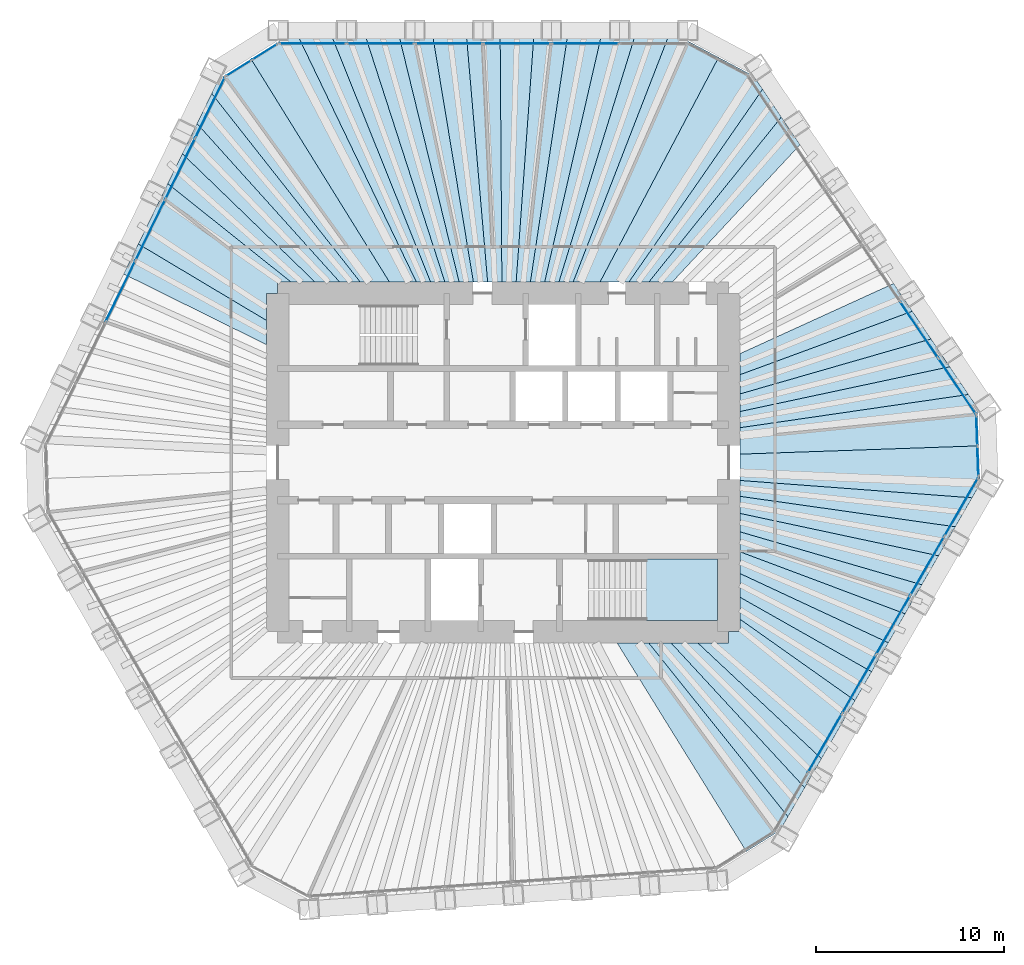
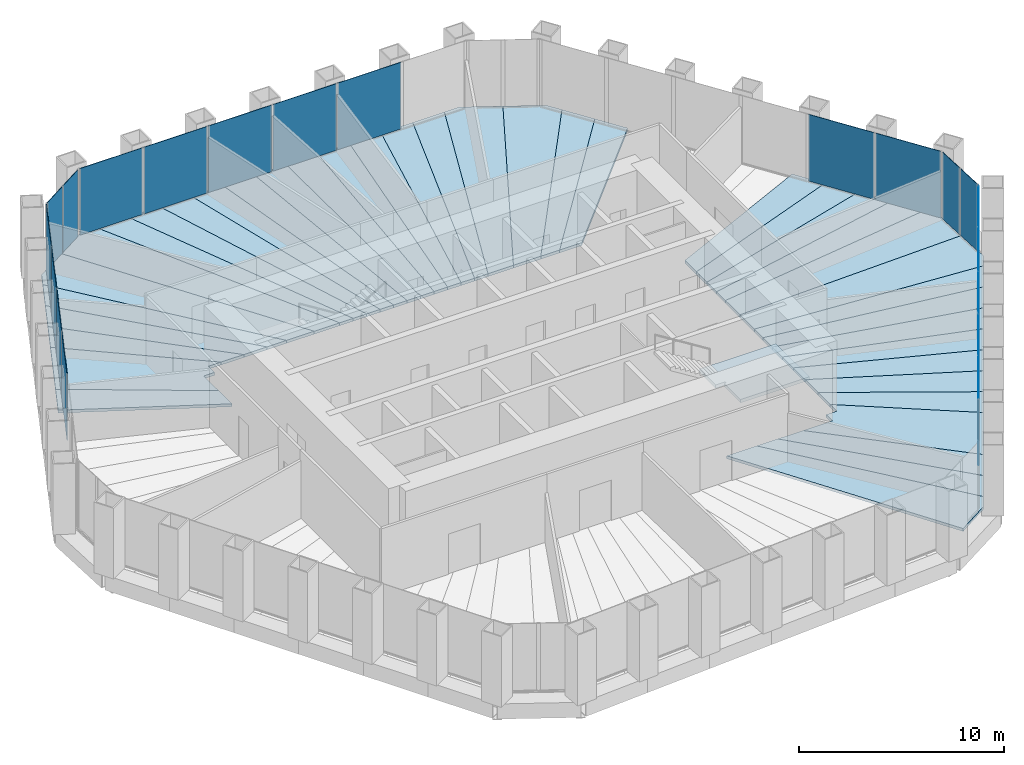
# One storey, part 9 of 14: 40 slabs, 20 plates, 7 elements without a shape of their own.
"""IFC4 building model written with IfcOpenShell, lengths in metres."""

import ifcopenshell
import ifcopenshell.guid

model = None  # the IFC model being written
_history = None  # IfcOwnerHistory: only IFC2X3 demands one
_inside = {}  # id of a spatial element -> (the spatial element, [elements in it])
_under = {}  # id of a project, library or spatial element -> (it, [spatial elements below it])
_declared = {}  # id of a project -> (the project, [libraries it declares])
_typed = {}  # id of a type object -> (the type object, [elements of that type])
_made_of = {}  # id of a material, layer set ... -> (it, [elements and type objects made of it])


def new_model(schema):
    """Start an empty IFC model of exactly this schema.

    Asked for "IFC4X3", IfcOpenShell would pick the latest addendum, in which some entities
    have other attributes; the version numbers below select the first issue.
    IFC2X3 requires an IfcOwnerHistory on every rooted entity: one is made here for all.
    """
    global model, _history
    if schema == "IFC4X3":
        model = ifcopenshell.file(schema_version=(4, 3, 0, 0))
    else:
        model = ifcopenshell.file(schema=schema)
    _inside.clear()
    _under.clear()
    _declared.clear()
    _typed.clear()
    _made_of.clear()
    _history = None
    if model.schema == "IFC2X3":
        org = make("IfcOrganization", Name="unknown")
        user = make(
            "IfcPersonAndOrganization",
            ThePerson=make("IfcPerson", FamilyName="unknown"),
            TheOrganization=org,
        )
        app = make(
            "IfcApplication",
            ApplicationDeveloper=org,
            Version="unknown",
            ApplicationFullName="unknown",
            ApplicationIdentifier="unknown",
        )
        _history = make(
            "IfcOwnerHistory",
            OwningUser=user,
            OwningApplication=app,
            ChangeAction="ADDED",
            CreationDate=0,
        )
    return model


def make(cls, **values):
    """One entity of the class cls with the attributes given. An attribute that is None is left unset."""
    return model.create_entity(
        cls, **{name: value for name, value in values.items() if value is not None}
    )


def rooted(cls, **values):
    """An entity with a GlobalId (a new one), such as an element, a storey or a relation."""
    return make(cls, GlobalId=ifcopenshell.guid.new(), OwnerHistory=_history, **values)


def si_unit(unit_type, name, prefix=None):
    """IfcSIUnit, for example si_unit("LENGTHUNIT", "METRE", prefix="MILLI")."""
    return make("IfcSIUnit", UnitType=unit_type, Prefix=prefix, Name=name)


def assignment(units):
    """IfcUnitAssignment: the units of a project."""
    return None if units is None else make("IfcUnitAssignment", Units=units)


def point(xyz):
    """IfcCartesianPoint."""
    return None if xyz is None else make("IfcCartesianPoint", Coordinates=xyz)


def direction(xyz):
    """IfcDirection."""
    return None if xyz is None else make("IfcDirection", DirectionRatios=xyz)


def frame(location, z_axis=None, x_axis=None):
    """IfcAxis2Placement3D, a coordinate frame: its origin and axes. An axis left out is left unset."""
    return make(
        "IfcAxis2Placement3D",
        Location=point(location),
        Axis=direction(z_axis),
        RefDirection=direction(x_axis),
    )


def frame_2d(location, x_axis=None):
    """IfcAxis2Placement2D, a coordinate frame in the plane: its origin and x axis."""
    return make(
        "IfcAxis2Placement2D", Location=point(location), RefDirection=direction(x_axis)
    )


def origin():
    """The frame at (0, 0, 0) with its axes left unset."""
    return frame((0.0, 0.0, 0.0))


def origin_2d():
    """The frame at (0, 0) in the plane with its x axis left unset."""
    return frame_2d((0.0, 0.0))


def place(relative_to, where):
    """IfcLocalPlacement: puts the frame where relative to a parent placement (None: the world)."""
    return make(
        "IfcLocalPlacement", PlacementRelTo=relative_to, RelativePlacement=where
    )


def context(
    kind, dimensions, precision=None, world=None, true_north=None, identifier=None
):
    """IfcGeometricRepresentationContext, for example the 3D "Model" context."""
    return make(
        "IfcGeometricRepresentationContext",
        ContextIdentifier=identifier,
        ContextType=kind,
        CoordinateSpaceDimension=dimensions,
        Precision=precision,
        WorldCoordinateSystem=world,
        TrueNorth=true_north,
    )


def subcontext(parent, identifier, kind, view, scale=None):
    """IfcGeometricRepresentationSubContext, for example "Body" below "Model"."""
    return make(
        "IfcGeometricRepresentationSubContext",
        ContextIdentifier=identifier,
        ContextType=kind,
        ParentContext=parent,
        TargetScale=scale,
        TargetView=view,
    )


def project(units=None, contexts=None):
    """IfcProject with its units and contexts."""
    return rooted(
        "IfcProject",
        Name="project",
        RepresentationContexts=contexts,
        UnitsInContext=assignment(units),
    )


def spatial(cls, under=None, at=None, **own):
    """A site, building, storey or space (cls), placed at a placement, below another one or the project."""
    s = rooted(cls, ObjectPlacement=at, **own)
    if under is not None:
        _under.setdefault(under.id(), (under, []))[1].append(s)
    return s


def polyline(points):
    """IfcPolyline through the points."""
    return make("IfcPolyline", Points=[point(p) for p in points])


def profile(cls, at=None, kind="AREA", **sizes):
    """A parametric profile (cls). Its sizes go by their IFC names, for example OverallWidth=200.0."""
    return make(cls, ProfileType=kind, Position=at, **sizes)


def rectangle(**sizes):
    """IfcRectangleProfileDef."""
    return profile("IfcRectangleProfileDef", **sizes)


def outline(outer, holes=None, kind="AREA"):
    """IfcArbitraryClosedProfileDef: a profile drawn as a closed curve; with holes, ...WithVoids."""
    if holes is None:
        return make("IfcArbitraryClosedProfileDef", ProfileType=kind, OuterCurve=outer)
    return make(
        "IfcArbitraryProfileDefWithVoids",
        ProfileType=kind,
        OuterCurve=outer,
        InnerCurves=holes,
    )


def extrude(swept, where, along, depth):
    """IfcExtrudedAreaSolid: the profile swept, set in the frame where, extruded along a direction by depth."""
    return make(
        "IfcExtrudedAreaSolid",
        SweptArea=swept,
        Position=where,
        ExtrudedDirection=direction(along),
        Depth=depth,
    )


def shape(context_of_items, identifier, shape_type, items):
    """IfcShapeRepresentation: the items that make up one representation, for example the "Body"."""
    return make(
        "IfcShapeRepresentation",
        ContextOfItems=context_of_items,
        RepresentationIdentifier=identifier,
        RepresentationType=shape_type,
        Items=items,
    )


def material(Name=None, Category=None):
    """IfcMaterial."""
    return make("IfcMaterial", Name=Name, Category=Category)


def layer(
    of_material, thickness, ventilated=None, Name=None, Category=None, Priority=None
):
    """IfcMaterialLayer: one layer of a wall or slab, of a material (None: an air gap)."""
    return make(
        "IfcMaterialLayer",
        Material=of_material,
        LayerThickness=thickness,
        IsVentilated=ventilated,
        Name=Name,
        Category=Category,
        Priority=Priority,
    )


def layer_set(layers, Name=None):
    """IfcMaterialLayerSet."""
    return make("IfcMaterialLayerSet", MaterialLayers=layers, LayerSetName=Name)


def made_of(thing, what):
    """Note that an element or type object is made of a material, layer set ...; save() writes the relation."""
    if what is not None:
        _made_of.setdefault(what.id(), (what, []))[1].append(thing)
    return thing


def type_object(cls, material=None, **own):
    """A type object (cls), such as IfcWallType, which elements share."""
    return made_of(rooted(cls, **own), material)


def element(
    cls,
    number,
    at=None,
    inside=None,
    cuts=None,
    type_object=None,
    material=None,
    context=None,
    identifier="Body",
    shape_type=None,
    held_by="IfcProductDefinitionShape",
    body=None,
    shapes=None,
    **own,
):
    """One element of the class cls, such as IfcWall. Its Tag is "e" and its number.

    at: its placement. inside: the storey or other place that contains it. cuts: it is an
    opening in that element (IfcRelVoidsElement). A single representation is given by context,
    identifier, shape_type and body (its items); several are given by shapes. held_by: the class
    of the entity that holds the representations. save() writes the other relations.
    """
    e = rooted(cls, Tag="e%d" % number, ObjectPlacement=at, **own)
    if body is not None:
        shapes = [shape(context, identifier, shape_type, body)]
    if shapes is not None:
        e.Representation = make(held_by, Representations=shapes)
    if inside is not None:
        _inside.setdefault(inside.id(), (inside, []))[1].append(e)
    if cuts is not None:
        rooted(
            "IfcRelVoidsElement", RelatingBuildingElement=cuts, RelatedOpeningElement=e
        )
    if type_object is not None:
        _typed.setdefault(type_object.id(), (type_object, []))[1].append(e)
    return made_of(e, material)


def aggregate(whole, parts):
    """IfcRelAggregates: a whole, such as a stair, and the parts it consists of."""
    return rooted("IfcRelAggregates", RelatingObject=whole, RelatedObjects=parts)


def save(model, path):
    """Write the relations noted so far, then the file.

    IfcRelAggregates (storeys below a building ...), IfcRelContainedInSpatialStructure (elements
    in a storey), IfcRelDefinesByType, IfcRelAssociatesMaterial and IfcRelDeclares: one each for
    every whole, place, type object, material and project.
    """
    for whole, parts in _under.values():
        aggregate(whole, parts)
    for where, things in _inside.values():
        rooted(
            "IfcRelContainedInSpatialStructure",
            RelatedElements=things,
            RelatingStructure=where,
        )
    for kind, things in _typed.values():
        rooted("IfcRelDefinesByType", RelatedObjects=things, RelatingType=kind)
    for what, things in _made_of.values():
        rooted("IfcRelAssociatesMaterial", RelatedObjects=things, RelatingMaterial=what)
    for by, libraries in _declared.values():
        rooted("IfcRelDeclares", RelatingContext=by, RelatedDefinitions=libraries)
    model.write(path)


model = new_model("IFC4")

# Units and contexts
model_context = context("Model", 3, precision=1e-05, world=origin(), true_north=direction((0.0, 1.0)))
body_context = subcontext(model_context, "Body", "Model", "MODEL_VIEW")
ifc_project = project(units=[si_unit("LENGTHUNIT", "METRE"), si_unit("AREAUNIT", "SQUARE_METRE"), si_unit("VOLUMEUNIT", "CUBIC_METRE"), si_unit("PLANEANGLEUNIT", "RADIAN"), si_unit("MASSUNIT", "GRAM", prefix="KILO")], contexts=[model_context])

# Site, building, storey
site_placement = place(None, origin())
site = spatial("IfcSite", under=ifc_project, at=site_placement, CompositionType="ELEMENT")
building_placement = place(site_placement, origin())
building = spatial("IfcBuilding", under=site, at=building_placement, Name="Qingtian Harvest Tower", CompositionType="ELEMENT")
storey_placement = place(building_placement, frame((0.0, 0.0, 197.199951171875)))
storey = spatial("IfcBuildingStorey", under=building, at=storey_placement, Name="L42", CompositionType="ELEMENT", Elevation=197.199951171875)

# Slabs
ifc_material_1 = material(Name="Concrete fc' 35 MPa", Category="concrete")
ifc_layer_1 = layer(ifc_material_1, 0.169921875)
ifc_layer_set_1 = layer_set([ifc_layer_1], Name="Composite floor slab FS17 170")
slab_type_1 = type_object("IfcSlabType", Name="Composite floor slab FS17 170", PredefinedType="FLOOR", material=ifc_layer_set_1)
slab_1_placement = place(storey_placement, frame((0.0, 0.0, -0.169921875)))
element("IfcSlab", 1, at=slab_1_placement, inside=storey, type_object=slab_type_1, Name="Floor slab L42 panel D27", PredefinedType="FLOOR", context=body_context, shape_type="SweptSolid", body=[
    extrude(outline(polyline([(6.059326171875, -9.60009765625), (7.740966796875, -9.60009765625), (15.159423828125, -18.853271484375), (14.73681640625, -19.5849609375), (12.94140625, -20.70703125), (6.059326171875, -9.60009765625)])), origin(), (0.0, 0.0, 1.0), 0.169921875),
])
slab_2_placement = place(storey_placement, frame((0.0, 0.0, -0.169921875)))
element("IfcSlab", 2, at=slab_2_placement, inside=storey, type_object=slab_type_1, Name="Floor slab L42 panel D28", PredefinedType="FLOOR", context=body_context, shape_type="SweptSolid", body=[
    extrude(outline(polyline([(8.929443359375, -9.60009765625), (16.05029296875, -17.31005859375), (15.159423828125, -18.853271484375), (7.740966796875, -9.60009765625), (8.929443359375, -9.60009765625)])), origin(), (0.0, 0.0, 1.0), 0.169921875),
])
slab_3_placement = place(storey_placement, frame((0.0, 0.0, -0.169921875)))
element("IfcSlab", 3, at=slab_3_placement, inside=storey, type_object=slab_type_1, Name="Floor slab L42 panel D29", PredefinedType="FLOOR", context=body_context, shape_type="SweptSolid", body=[
    extrude(outline(polyline([(10.35205078125, -9.60009765625), (16.94140625, -15.766845703125), (16.05029296875, -17.31005859375), (8.929443359375, -9.60009765625), (10.35205078125, -9.60009765625)])), origin(), (0.0, 0.0, 1.0), 0.169921875),
])
slab_4_placement = place(storey_placement, frame((0.0, 0.0, -0.169921875)))
element("IfcSlab", 4, at=slab_4_placement, inside=storey, type_object=slab_type_1, Name="Floor slab L42 panel D31", PredefinedType="FLOOR", context=body_context, shape_type="SweptSolid", body=[
    extrude(outline(polyline([(12.60009765625, -8.33984375), (18.726806640625, -12.674072265625), (16.94140625, -15.766845703125), (10.35205078125, -9.60009765625), (12.0, -9.60009765625), (12.0, -9.0), (12.60009765625, -9.0), (12.60009765625, -8.33984375)])), origin(), (0.0, 0.0, 1.0), 0.169921875),
])
slab_5_placement = place(storey_placement, frame((0.0, 0.0, -0.169921875)))
element("IfcSlab", 5, at=slab_5_placement, inside=storey, type_object=slab_type_1, Name="Floor slab L42 panel D32", PredefinedType="FLOOR", context=body_context, shape_type="SweptSolid", body=[
    extrude(outline(polyline([(12.60009765625, -7.171142578125), (19.61279296875, -11.1396484375), (18.726806640625, -12.674072265625), (12.60009765625, -8.33984375), (12.60009765625, -7.171142578125)])), origin(), (0.0, 0.0, 1.0), 0.169921875),
])
slab_6_placement = place(storey_placement, frame((0.0, 0.0, -0.169921875)))
element("IfcSlab", 6, at=slab_6_placement, inside=storey, type_object=slab_type_1, Name="Floor slab L42 panel D33", PredefinedType="FLOOR", context=body_context, shape_type="SweptSolid", body=[
    extrude(outline(polyline([(12.60009765625, -5.91015625), (20.503662109375, -9.5966796875), (19.61279296875, -11.1396484375), (12.60009765625, -7.171142578125), (12.60009765625, -5.91015625)])), origin(), (0.0, 0.0, 1.0), 0.169921875),
])
slab_7_placement = place(storey_placement, frame((0.0, 0.0, -0.169921875)))
element("IfcSlab", 7, at=slab_7_placement, inside=storey, type_object=slab_type_1, Name="Floor slab L42 panel D34", PredefinedType="FLOOR", context=body_context, shape_type="SweptSolid", body=[
    extrude(outline(polyline([(12.60009765625, -4.75439453125), (21.39453125, -8.0537109375), (20.503662109375, -9.5966796875), (12.60009765625, -5.91015625), (12.60009765625, -4.75439453125)])), origin(), (0.0, 0.0, 1.0), 0.169921875),
])
slab_8_placement = place(storey_placement, frame((0.0, 0.0, -0.169921875)))
element("IfcSlab", 8, at=slab_8_placement, inside=storey, type_object=slab_type_1, Name="Floor slab L42 panel D35", PredefinedType="FLOOR", context=body_context, shape_type="SweptSolid", body=[
    extrude(outline(polyline([(12.60009765625, -3.691162109375), (22.285400390625, -6.5107421875), (21.39453125, -8.0537109375), (12.60009765625, -4.75439453125), (12.60009765625, -3.691162109375)])), origin(), (0.0, 0.0, 1.0), 0.169921875),
])
slab_9_placement = place(storey_placement, frame((0.0, 0.0, -0.169921875)))
element("IfcSlab", 9, at=slab_9_placement, inside=storey, type_object=slab_type_1, Name="Floor slab L42 panel D36", PredefinedType="FLOOR", context=body_context, shape_type="SweptSolid", body=[
    extrude(outline(polyline([(12.60009765625, -2.709716796875), (23.17626953125, -4.9677734375), (22.285400390625, -6.5107421875), (12.60009765625, -3.691162109375), (12.60009765625, -2.709716796875)])), origin(), (0.0, 0.0, 1.0), 0.169921875),
])
slab_10_placement = place(storey_placement, frame((0.0, 0.0, -0.169921875)))
element("IfcSlab", 10, at=slab_10_placement, inside=storey, type_object=slab_type_1, Name="Floor slab L42 panel D37", PredefinedType="FLOOR", context=body_context, shape_type="SweptSolid", body=[
    extrude(outline(polyline([(12.60009765625, -1.801025390625), (24.06689453125, -3.4248046875), (23.17626953125, -4.9677734375), (12.60009765625, -2.709716796875), (12.60009765625, -1.801025390625)])), origin(), (0.0, 0.0, 1.0), 0.169921875),
])
slab_11_placement = place(storey_placement, frame((0.0, 0.0, -0.169921875)))
element("IfcSlab", 11, at=slab_11_placement, inside=storey, type_object=slab_type_1, Name="Floor slab L42 panel D38", PredefinedType="FLOOR", context=body_context, shape_type="SweptSolid", body=[
    extrude(outline(polyline([(12.60009765625, -0.95703125), (24.957763671875, -1.8818359375), (24.06689453125, -3.4248046875), (12.60009765625, -1.801025390625), (12.60009765625, -0.95703125)])), origin(), (0.0, 0.0, 1.0), 0.169921875),
])
slab_12_placement = place(storey_placement, frame((0.0, 0.0, -0.169921875)))
element("IfcSlab", 12, at=slab_12_placement, inside=storey, type_object=slab_type_1, Name="Floor slab L42 panel D39", PredefinedType="FLOOR", context=body_context, shape_type="SweptSolid", body=[
    extrude(outline(polyline([(12.60009765625, -0.95703125), (12.60009765625, 0.442626953125), (25.30908203125, 0.884033203125), (25.380126953125, -1.150146484375), (24.957763671875, -1.8818359375), (12.60009765625, -0.95703125)])), origin(), (0.0, 0.0, 1.0), 0.169921875),
])
slab_13_placement = place(storey_placement, frame((0.0, 0.0, -0.169921875)))
element("IfcSlab", 13, at=slab_13_placement, inside=storey, type_object=slab_type_1, Name="Floor slab L42 panel D40", PredefinedType="FLOOR", context=body_context, shape_type="SweptSolid", body=[
    extrude(outline(polyline([(12.60009765625, 0.442626953125), (12.60009765625, 1.848876953125), (24.765625, 3.6181640625), (25.238037109375, 2.91796875), (25.30908203125, 0.884033203125), (12.60009765625, 0.442626953125)])), origin(), (0.0, 0.0, 1.0), 0.169921875),
])
slab_14_placement = place(storey_placement, frame((0.0, 0.0, -0.169921875)))
element("IfcSlab", 14, at=slab_14_placement, inside=storey, type_object=slab_type_1, Name="Floor slab L42 panel D41", PredefinedType="FLOOR", context=body_context, shape_type="SweptSolid", body=[
    extrude(outline(polyline([(12.60009765625, 2.710205078125), (23.76953125, 5.09521484375), (24.765625, 3.6181640625), (12.60009765625, 1.848876953125), (12.60009765625, 2.710205078125)])), origin(), (0.0, 0.0, 1.0), 0.169921875),
])
slab_15_placement = place(storey_placement, frame((0.0, 0.0, -0.169921875)))
element("IfcSlab", 15, at=slab_15_placement, inside=storey, type_object=slab_type_1, Name="Floor slab L42 panel D42", PredefinedType="FLOOR", context=body_context, shape_type="SweptSolid", body=[
    extrude(outline(polyline([(12.60009765625, 3.646728515625), (22.773193359375, 6.572265625), (23.76953125, 5.09521484375), (12.60009765625, 2.710205078125), (12.60009765625, 3.646728515625)])), origin(), (0.0, 0.0, 1.0), 0.169921875),
])
slab_16_placement = place(storey_placement, frame((0.0, 0.0, -0.169921875)))
element("IfcSlab", 16, at=slab_16_placement, inside=storey, type_object=slab_type_1, Name="Floor slab L42 panel D43", PredefinedType="FLOOR", context=body_context, shape_type="SweptSolid", body=[
    extrude(outline(polyline([(12.60009765625, 4.669189453125), (21.77685546875, 8.049560546875), (22.773193359375, 6.572265625), (12.60009765625, 3.646728515625), (12.60009765625, 4.669189453125)])), origin(), (0.0, 0.0, 1.0), 0.169921875),
])
slab_17_placement = place(storey_placement, frame((0.0, 0.0, -0.169921875)))
element("IfcSlab", 17, at=slab_17_placement, inside=storey, type_object=slab_type_1, Name="Floor slab L42 panel D44", PredefinedType="FLOOR", context=body_context, shape_type="SweptSolid", body=[
    extrude(outline(polyline([(12.60009765625, 5.7900390625), (20.780517578125, 9.526611328125), (21.77685546875, 8.049560546875), (12.60009765625, 4.669189453125), (12.60009765625, 5.7900390625)])), origin(), (0.0, 0.0, 1.0), 0.169921875),
])
slab_18_placement = place(storey_placement, frame((0.0, 0.0, -0.169921875)))
element("IfcSlab", 18, at=slab_18_placement, inside=storey, type_object=slab_type_1, Name="Floor slab L42 panel D50", PredefinedType="FLOOR", context=body_context, shape_type="SweptSolid", body=[
    extrude(outline(polyline([(7.751220703125, 9.60009765625), (14.8037109375, 18.3876953125), (15.800048828125, 16.910400390625), (8.998291015625, 9.60009765625), (7.751220703125, 9.60009765625)])), origin(), (0.0, 0.0, 1.0), 0.169921875),
])
slab_19_placement = place(storey_placement, frame((0.0, 0.0, -0.169921875)))
element("IfcSlab", 19, at=slab_19_placement, inside=storey, type_object=slab_type_1, Name="Floor slab L42 panel D51", PredefinedType="FLOOR", context=body_context, shape_type="SweptSolid", body=[
    extrude(outline(polyline([(6.6904296875, 9.60009765625), (13.807373046875, 19.86474609375), (14.8037109375, 18.3876953125), (7.751220703125, 9.60009765625), (6.6904296875, 9.60009765625)])), origin(), (0.0, 0.0, 1.0), 0.169921875),
])
slab_20_placement = place(storey_placement, frame((0.0, 0.0, -0.169921875)))
element("IfcSlab", 20, at=slab_20_placement, inside=storey, type_object=slab_type_1, Name="Floor slab L42 panel D52", PredefinedType="FLOOR", context=body_context, shape_type="SweptSolid", body=[
    extrude(outline(polyline([(6.6904296875, 9.60009765625), (5.15185546875, 9.60009765625), (11.465087890625, 21.559326171875), (13.334716796875, 20.5654296875), (13.807373046875, 19.86474609375), (6.6904296875, 9.60009765625)])), origin(), (0.0, 0.0, 1.0), 0.169921875),
])
slab_21_placement = place(storey_placement, frame((0.0, 0.0, -0.169921875)))
element("IfcSlab", 21, at=slab_21_placement, inside=storey, type_object=slab_type_1, Name="Floor slab L42 panel D53", PredefinedType="FLOOR", context=body_context, shape_type="SweptSolid", body=[
    extrude(outline(polyline([(3.7236328125, 9.60009765625), (8.748291015625, 22.554931640625), (9.5927734375, 22.554931640625), (11.465087890625, 21.559326171875), (5.15185546875, 9.60009765625), (3.7236328125, 9.60009765625)])), origin(), (0.0, 0.0, 1.0), 0.169921875),
])
slab_22_placement = place(storey_placement, frame((0.0, 0.0, -0.169921875)))
element("IfcSlab", 22, at=slab_22_placement, inside=storey, type_object=slab_type_1, Name="Floor slab L42 panel D54", PredefinedType="FLOOR", context=body_context, shape_type="SweptSolid", body=[
    extrude(outline(polyline([(2.96533203125, 9.60009765625), (6.966796875, 22.554931640625), (8.748291015625, 22.554931640625), (3.7236328125, 9.60009765625), (2.96533203125, 9.60009765625)])), origin(), (0.0, 0.0, 1.0), 0.169921875),
])
slab_23_placement = place(storey_placement, frame((0.0, 0.0, -0.169921875)))
element("IfcSlab", 23, at=slab_23_placement, inside=storey, type_object=slab_type_1, Name="Floor slab L42 panel D55", PredefinedType="FLOOR", context=body_context, shape_type="SweptSolid", body=[
    extrude(outline(polyline([(2.206787109375, 9.60009765625), (5.18505859375, 22.554931640625), (6.966796875, 22.554931640625), (2.96533203125, 9.60009765625), (2.206787109375, 9.60009765625)])), origin(), (0.0, 0.0, 1.0), 0.169921875),
])
slab_24_placement = place(storey_placement, frame((0.0, 0.0, -0.169921875)))
element("IfcSlab", 24, at=slab_24_placement, inside=storey, type_object=slab_type_1, Name="Floor slab L42 panel D56", PredefinedType="FLOOR", context=body_context, shape_type="SweptSolid", body=[
    extrude(outline(polyline([(1.448486328125, 9.60009765625), (3.403564453125, 22.554931640625), (5.18505859375, 22.554931640625), (2.206787109375, 9.60009765625), (1.448486328125, 9.60009765625)])), origin(), (0.0, 0.0, 1.0), 0.169921875),
])
slab_25_placement = place(storey_placement, frame((0.0, 0.0, -0.169921875)))
element("IfcSlab", 25, at=slab_25_placement, inside=storey, type_object=slab_type_1, Name="Floor slab L42 panel D57", PredefinedType="FLOOR", context=body_context, shape_type="SweptSolid", body=[
    extrude(outline(polyline([(0.690185546875, 9.60009765625), (1.621826171875, 22.554931640625), (3.403564453125, 22.554931640625), (1.448486328125, 9.60009765625), (0.690185546875, 9.60009765625)])), origin(), (0.0, 0.0, 1.0), 0.169921875),
])
slab_26_placement = place(storey_placement, frame((0.0, 0.0, -0.169921875)))
element("IfcSlab", 26, at=slab_26_placement, inside=storey, type_object=slab_type_1, Name="Floor slab L42 panel D58", PredefinedType="FLOOR", context=body_context, shape_type="SweptSolid", body=[
    extrude(outline(polyline([(-0.068115234375, 9.60009765625), (-0.159912109375, 22.554931640625), (1.621826171875, 22.554931640625), (0.690185546875, 9.60009765625), (-0.068115234375, 9.60009765625)])), origin(), (0.0, 0.0, 1.0), 0.169921875),
])
slab_27_placement = place(storey_placement, frame((0.0, 0.0, -0.169921875)))
element("IfcSlab", 27, at=slab_27_placement, inside=storey, type_object=slab_type_1, Name="Floor slab L42 panel D59", PredefinedType="FLOOR", context=body_context, shape_type="SweptSolid", body=[
    extrude(outline(polyline([(-0.826416015625, 9.60009765625), (-1.94140625, 22.554931640625), (-0.159912109375, 22.554931640625), (-0.068115234375, 9.60009765625), (-0.826416015625, 9.60009765625)])), origin(), (0.0, 0.0, 1.0), 0.169921875),
])
slab_28_placement = place(storey_placement, frame((0.0, 0.0, -0.169921875)))
element("IfcSlab", 28, at=slab_28_placement, inside=storey, type_object=slab_type_1, Name="Floor slab L42 panel D60", PredefinedType="FLOOR", context=body_context, shape_type="SweptSolid", body=[
    extrude(outline(polyline([(-1.584716796875, 9.60009765625), (-3.72314453125, 22.554931640625), (-1.94140625, 22.554931640625), (-0.826416015625, 9.60009765625), (-1.584716796875, 9.60009765625)])), origin(), (0.0, 0.0, 1.0), 0.169921875),
])
slab_29_placement = place(storey_placement, frame((0.0, 0.0, -0.169921875)))
element("IfcSlab", 29, at=slab_29_placement, inside=storey, type_object=slab_type_1, Name="Floor slab L42 panel D61", PredefinedType="FLOOR", context=body_context, shape_type="SweptSolid", body=[
    extrude(outline(polyline([(-2.343017578125, 9.60009765625), (-5.504638671875, 22.554931640625), (-3.72314453125, 22.554931640625), (-1.584716796875, 9.60009765625), (-2.343017578125, 9.60009765625)])), origin(), (0.0, 0.0, 1.0), 0.169921875),
])
slab_30_placement = place(storey_placement, frame((0.0, 0.0, -0.169921875)))
element("IfcSlab", 30, at=slab_30_placement, inside=storey, type_object=slab_type_1, Name="Floor slab L42 panel D62", PredefinedType="FLOOR", context=body_context, shape_type="SweptSolid", body=[
    extrude(outline(polyline([(-3.101318359375, 9.60009765625), (-7.286376953125, 22.554931640625), (-5.504638671875, 22.554931640625), (-2.343017578125, 9.60009765625), (-3.101318359375, 9.60009765625)])), origin(), (0.0, 0.0, 1.0), 0.169921875),
])
slab_31_placement = place(storey_placement, frame((0.0, 0.0, -0.169921875)))
element("IfcSlab", 31, at=slab_31_placement, inside=storey, type_object=slab_type_1, Name="Floor slab L42 panel D63", PredefinedType="FLOOR", context=body_context, shape_type="SweptSolid", body=[
    extrude(outline(polyline([(-3.859619140625, 9.60009765625), (-9.06787109375, 22.554931640625), (-7.286376953125, 22.554931640625), (-3.101318359375, 9.60009765625), (-3.859619140625, 9.60009765625)])), origin(), (0.0, 0.0, 1.0), 0.169921875),
])
slab_32_placement = place(storey_placement, frame((0.0, 0.0, -0.169921875)))
element("IfcSlab", 32, at=slab_32_placement, inside=storey, type_object=slab_type_1, Name="Floor slab L42 panel D64", PredefinedType="FLOOR", context=body_context, shape_type="SweptSolid", body=[
    extrude(outline(polyline([(-4.617919921875, 9.60009765625), (-10.849609375, 22.554931640625), (-9.06787109375, 22.554931640625), (-3.859619140625, 9.60009765625), (-4.617919921875, 9.60009765625)])), origin(), (0.0, 0.0, 1.0), 0.169921875),
])
slab_33_placement = place(storey_placement, frame((0.0, 0.0, -0.169921875)))
element("IfcSlab", 33, at=slab_33_placement, inside=storey, type_object=slab_type_1, Name="Floor slab L42 panel D65", PredefinedType="FLOOR", context=body_context, shape_type="SweptSolid", body=[
    extrude(outline(polyline([(-4.617919921875, 9.60009765625), (-6.050537109375, 9.60009765625), (-13.42138671875, 21.4755859375), (-11.69384765625, 22.554931640625), (-10.849609375, 22.554931640625), (-4.617919921875, 9.60009765625)])), origin(), (0.0, 0.0, 1.0), 0.169921875),
])
slab_34_placement = place(storey_placement, frame((0.0, 0.0, -0.169921875)))
element("IfcSlab", 34, at=slab_34_placement, inside=storey, type_object=slab_type_1, Name="Floor slab L42 panel D66", PredefinedType="FLOOR", context=body_context, shape_type="SweptSolid", body=[
    extrude(outline(polyline([(-6.050537109375, 9.60009765625), (-7.60498046875, 9.60009765625), (-15.516357421875, 19.638427734375), (-15.14599609375, 20.39794921875), (-13.42138671875, 21.4755859375), (-6.050537109375, 9.60009765625)])), origin(), (0.0, 0.0, 1.0), 0.169921875),
])
slab_35_placement = place(storey_placement, frame((0.0, 0.0, -0.169921875)))
element("IfcSlab", 35, at=slab_35_placement, inside=storey, type_object=slab_type_1, Name="Floor slab L42 panel D67", PredefinedType="FLOOR", context=body_context, shape_type="SweptSolid", body=[
    extrude(outline(polyline([(-8.699951171875, 9.60009765625), (-16.297607421875, 18.036865234375), (-15.516357421875, 19.638427734375), (-7.60498046875, 9.60009765625), (-8.699951171875, 9.60009765625)])), origin(), (0.0, 0.0, 1.0), 0.169921875),
])
slab_36_placement = place(storey_placement, frame((0.0, 0.0, -0.169921875)))
element("IfcSlab", 36, at=slab_36_placement, inside=storey, type_object=slab_type_1, Name="Floor slab L42 panel D68", PredefinedType="FLOOR", context=body_context, shape_type="SweptSolid", body=[
    extrude(outline(polyline([(-10.009765625, 9.60009765625), (-17.07861328125, 16.435302734375), (-16.297607421875, 18.036865234375), (-8.699951171875, 9.60009765625), (-10.009765625, 9.60009765625)])), origin(), (0.0, 0.0, 1.0), 0.169921875),
])
slab_37_placement = place(storey_placement, frame((0.0, 0.0, -0.169921875)))
element("IfcSlab", 37, at=slab_37_placement, inside=storey, type_object=slab_type_1, Name="Floor slab L42 panel D69", PredefinedType="FLOOR", context=body_context, shape_type="SweptSolid", body=[
    extrude(outline(polyline([(-11.28759765625, 9.60009765625), (-17.855224609375, 14.84326171875), (-17.07861328125, 16.435302734375), (-10.009765625, 9.60009765625), (-11.28759765625, 9.60009765625)])), origin(), (0.0, 0.0, 1.0), 0.169921875),
])
slab_38_placement = place(storey_placement, frame((0.0, 0.0, -0.169921875)))
element("IfcSlab", 38, at=slab_38_placement, inside=storey, type_object=slab_type_1, Name="Floor slab L42 panel D70", PredefinedType="FLOOR", context=body_context, shape_type="SweptSolid", body=[
    extrude(outline(polyline([(-12.0, 9.0), (-12.60009765625, 9.0), (-12.60009765625, 7.560302734375), (-19.4208984375, 11.633056640625), (-17.855224609375, 14.84326171875), (-11.28759765625, 9.60009765625), (-12.0, 9.60009765625), (-12.0, 9.0)])), origin(), (0.0, 0.0, 1.0), 0.169921875),
])
slab_39_placement = place(storey_placement, frame((0.0, 0.0, -0.169921875)))
element("IfcSlab", 39, at=slab_39_placement, inside=storey, type_object=slab_type_1, Name="Floor slab L42 panel D72", PredefinedType="FLOOR", context=body_context, shape_type="SweptSolid", body=[
    extrude(outline(polyline([(-12.60009765625, 6.268310546875), (-20.201904296875, 10.031494140625), (-19.4208984375, 11.633056640625), (-12.60009765625, 7.560302734375), (-12.60009765625, 6.268310546875)])), origin(), (0.0, 0.0, 1.0), 0.169921875),
])

# Curtain wall, plates
ifc_material_2 = material(Name="Bronze-anodised aluminium curtain wall", Category="aluminium")
curtain_wall_type = type_object("IfcCurtainWallType", Name="Curtain wall CW4 office", PredefinedType="USERDEFINED", material=ifc_material_2)
curtain_wall_1_placement = place(storey_placement, origin())
curtain_wall_1 = element("IfcCurtainWall", 40, at=curtain_wall_1_placement, inside=storey, type_object=curtain_wall_type, Name="Curtain wall CW4 L42 N0-5", ObjectType="RECESSED CURTAIN WALL", PredefinedType="USERDEFINED")
ifc_material_3 = material(Name="Bronze-tinted laminated insulating glass", Category="glass")
ifc_layer_2 = layer(ifc_material_3, 0.030029296875)
ifc_layer_set_2 = layer_set([ifc_layer_2], Name="Glazed panel CWP tinted IGU")
plate_type = type_object("IfcPlateType", Name="Glazed panel CWP tinted IGU", PredefinedType="CURTAIN_PANEL", material=ifc_layer_set_2)
plate_1_placement = place(storey_placement, frame((-10.138916015625, 22.300048828125, 0.06494140625), z_axis=(0.0, 0.0, 1.0), x_axis=(1.0, 0.0, 0.0)))
plate_1 = element("IfcPlate", 41, at=plate_1_placement, type_object=plate_type, Name="CW4 panel 1.1", PredefinedType="CURTAIN_PANEL", context=body_context, shape_type="SweptSolid", body=[
    extrude(rectangle(XDim=3.5361328125, YDim=0.030029296875, at=origin_2d()), origin(), (0.0, 0.0, 1.0), 3.965087890625),
])
plate_2_placement = place(storey_placement, frame((-6.521728515625, 22.300048828125, 0.06494140625), z_axis=(0.0, 0.0, 1.0), x_axis=(1.0, 0.0, 0.0)))
plate_2 = element("IfcPlate", 42, at=plate_2_placement, type_object=plate_type, Name="CW4 panel 2.1", PredefinedType="CURTAIN_PANEL", context=body_context, shape_type="SweptSolid", body=[
    extrude(rectangle(XDim=3.568603515625, YDim=0.030029296875, at=origin_2d()), origin(), (0.0, 0.0, 1.0), 3.965087890625),
])
plate_3_placement = place(storey_placement, frame((-2.88818359375, 22.300048828125, 0.06494140625), z_axis=(0.0, 0.0, 1.0), x_axis=(1.0, 0.0, 0.0)))
plate_3 = element("IfcPlate", 43, at=plate_3_placement, type_object=plate_type, Name="CW4 panel 3.1", PredefinedType="CURTAIN_PANEL", context=body_context, shape_type="SweptSolid", body=[
    extrude(rectangle(XDim=3.568603515625, YDim=0.030029296875, at=origin_2d()), origin(), (0.0, 0.0, 1.0), 3.965087890625),
])
plate_4_placement = place(storey_placement, frame((0.745361328125, 22.300048828125, 0.06494140625), z_axis=(0.0, 0.0, 1.0), x_axis=(1.0, 0.0, 0.0)))
plate_4 = element("IfcPlate", 44, at=plate_4_placement, type_object=plate_type, Name="CW4 panel 4.1", PredefinedType="CURTAIN_PANEL", context=body_context, shape_type="SweptSolid", body=[
    extrude(rectangle(XDim=3.568603515625, YDim=0.030029296875, at=origin_2d()), origin(), (0.0, 0.0, 1.0), 3.965087890625),
])
plate_5_placement = place(storey_placement, frame((4.37890625, 22.300048828125, 0.06494140625), z_axis=(0.0, 0.0, 1.0), x_axis=(1.0, 0.0, 0.0)))
plate_5 = element("IfcPlate", 45, at=plate_5_placement, type_object=plate_type, Name="CW4 panel 5.1", PredefinedType="CURTAIN_PANEL", context=body_context, shape_type="SweptSolid", body=[
    extrude(rectangle(XDim=3.568603515625, YDim=0.030029296875, at=origin_2d()), origin(), (0.0, 0.0, 1.0), 3.965087890625),
])
aggregate(curtain_wall_1, [plate_1, plate_2, plate_3, plate_4, plate_5])

curtain_wall_2_placement = place(storey_placement, origin())
curtain_wall_2 = element("IfcCurtainWall", 46, at=curtain_wall_2_placement, inside=storey, type_object=curtain_wall_type, Name="Curtain wall CW4 L42 NE0-5", ObjectType="RECESSED CURTAIN WALL", PredefinedType="USERDEFINED")
plate_6_placement = place(storey_placement, frame((22.134521484375, 7.063232421875, 0.06494140625), z_axis=(0.0, 0.0, 1.0), x_axis=(0.559192903471, -0.829037572555, 0.0)))
plate_6 = element("IfcPlate", 47, at=plate_6_placement, type_object=plate_type, Name="CW4 panel 5.1", PredefinedType="CURTAIN_PANEL", context=body_context, shape_type="SweptSolid", body=[
    extrude(rectangle(XDim=3.568603515625, YDim=0.030029296875, at=origin_2d()), origin(), (0.0, 0.0, 1.0), 3.965087890625),
])
plate_7_placement = place(storey_placement, frame((24.1572265625, 4.064453125, 0.06494140625), z_axis=(0.0, 0.0, 1.0), x_axis=(0.559192903471, -0.829037572555, 0.0)))
plate_7 = element("IfcPlate", 48, at=plate_7_placement, type_object=plate_type, Name="CW4 panel 6.1", PredefinedType="CURTAIN_PANEL", context=body_context, shape_type="SweptSolid", body=[
    extrude(rectangle(XDim=3.5361328125, YDim=0.030029296875, at=origin_2d()), origin(), (0.0, 0.0, 1.0), 3.965087890625),
])
aggregate(curtain_wall_2, [plate_6, plate_7])

curtain_wall_3_placement = place(storey_placement, origin())
curtain_wall_3 = element("IfcCurtainWall", 49, at=curtain_wall_3_placement, inside=storey, type_object=curtain_wall_type, Name="Curtain wall CW4 L42 NEC", ObjectType="RECESSED CURTAIN WALL", PredefinedType="USERDEFINED")
plate_8_placement = place(storey_placement, frame((25.2119140625, 1.69677734375, 0.06494140625), z_axis=(0.0, 0.0, 1.0), x_axis=(0.034899496703, -0.999390827019, 0.0)))
plate_8 = element("IfcPlate", 50, at=plate_8_placement, type_object=plate_type, Name="CW4 panel 1.1", PredefinedType="CURTAIN_PANEL", context=body_context, shape_type="SweptSolid", body=[
    extrude(rectangle(XDim=1.56689453125, YDim=0.030029296875, at=origin_2d()), origin(), (0.0, 0.0, 1.0), 3.965087890625),
])
plate_9_placement = place(storey_placement, frame((25.268798828125, 0.06591796875, 0.06494140625), z_axis=(0.0, 0.0, 1.0), x_axis=(0.034899496703, -0.999390827019, 0.0)))
plate_9 = element("IfcPlate", 51, at=plate_9_placement, type_object=plate_type, Name="CW4 panel 2.1", PredefinedType="CURTAIN_PANEL", context=body_context, shape_type="SweptSolid", body=[
    extrude(rectangle(XDim=1.56689453125, YDim=0.030029296875, at=origin_2d()), origin(), (0.0, 0.0, 1.0), 3.965087890625),
])
aggregate(curtain_wall_3, [plate_8, plate_9])

curtain_wall_4_placement = place(storey_placement, origin())
curtain_wall_4 = element("IfcCurtainWall", 52, at=curtain_wall_4_placement, inside=storey, type_object=curtain_wall_type, Name="Curtain wall CW4 L42 SE0-5", ObjectType="RECESSED CURTAIN WALL", PredefinedType="USERDEFINED")
plate_10_placement = place(storey_placement, frame((24.3818359375, -2.369384765625, 0.06494140625), z_axis=(0.0, 0.0, 1.0), x_axis=(-0.5, -0.866025403784, 0.0)))
plate_10 = element("IfcPlate", 53, at=plate_10_placement, type_object=plate_type, Name="CW4 panel 1.1", PredefinedType="CURTAIN_PANEL", context=body_context, shape_type="SweptSolid", body=[
    extrude(rectangle(XDim=3.5361328125, YDim=0.030029296875, at=origin_2d()), origin(), (0.0, 0.0, 1.0), 3.965087890625),
])
plate_11_placement = place(storey_placement, frame((22.5732421875, -5.501953125, 0.06494140625), z_axis=(0.0, 0.0, 1.0), x_axis=(-0.5, -0.866025403784, 0.0)))
plate_11 = element("IfcPlate", 54, at=plate_11_placement, type_object=plate_type, Name="CW4 panel 2.1", PredefinedType="CURTAIN_PANEL", context=body_context, shape_type="SweptSolid", body=[
    extrude(rectangle(XDim=3.568603515625, YDim=0.030029296875, at=origin_2d()), origin(), (0.0, 0.0, 1.0), 3.965087890625),
])
plate_12_placement = place(storey_placement, frame((20.75634765625, -8.64892578125, 0.06494140625), z_axis=(0.0, 0.0, 1.0), x_axis=(-0.5, -0.866025403784, 0.0)))
plate_12 = element("IfcPlate", 55, at=plate_12_placement, type_object=plate_type, Name="CW4 panel 3.1", PredefinedType="CURTAIN_PANEL", context=body_context, shape_type="SweptSolid", body=[
    extrude(rectangle(XDim=3.568603515625, YDim=0.030029296875, at=origin_2d()), origin(), (0.0, 0.0, 1.0), 3.965087890625),
])
plate_13_placement = place(storey_placement, frame((18.939697265625, -11.795654296875, 0.06494140625), z_axis=(0.0, 0.0, 1.0), x_axis=(-0.5, -0.866025403784, 0.0)))
plate_13 = element("IfcPlate", 56, at=plate_13_placement, type_object=plate_type, Name="CW4 panel 4.1", PredefinedType="CURTAIN_PANEL", context=body_context, shape_type="SweptSolid", body=[
    extrude(rectangle(XDim=3.568603515625, YDim=0.030029296875, at=origin_2d()), origin(), (0.0, 0.0, 1.0), 3.965087890625),
])
plate_14_placement = place(storey_placement, frame((17.122802734375, -14.9423828125, 0.06494140625), z_axis=(0.0, 0.0, 1.0), x_axis=(-0.5, -0.866025403784, 0.0)))
plate_14 = element("IfcPlate", 57, at=plate_14_placement, type_object=plate_type, Name="CW4 panel 5.1", PredefinedType="CURTAIN_PANEL", context=body_context, shape_type="SweptSolid", body=[
    extrude(rectangle(XDim=3.568603515625, YDim=0.030029296875, at=origin_2d()), origin(), (0.0, 0.0, 1.0), 3.965087890625),
])
aggregate(curtain_wall_4, [plate_10, plate_11, plate_12, plate_13, plate_14])

curtain_wall_5_placement = place(storey_placement, origin())
curtain_wall_5 = element("IfcCurtainWall", 58, at=curtain_wall_5_placement, inside=storey, type_object=curtain_wall_type, Name="Curtain wall CW4 L42 NW0-5", ObjectType="RECESSED CURTAIN WALL", PredefinedType="USERDEFINED")
plate_15_placement = place(storey_placement, frame((-20.369873046875, 9.105712890625, 0.06494140625), z_axis=(0.0, 0.0, 1.0), x_axis=(0.438371146789, 0.898794046299, 0.0)))
plate_15 = element("IfcPlate", 59, at=plate_15_placement, type_object=plate_type, Name="CW4 panel 3.1", PredefinedType="CURTAIN_PANEL", context=body_context, shape_type="SweptSolid", body=[
    extrude(rectangle(XDim=3.568603515625, YDim=0.030029296875, at=origin_2d()), origin(), (0.0, 0.0, 1.0), 3.965087890625),
])
plate_16_placement = place(storey_placement, frame((-18.777099609375, 12.37158203125, 0.06494140625), z_axis=(0.0, 0.0, 1.0), x_axis=(0.438371146789, 0.898794046299, 0.0)))
plate_16 = element("IfcPlate", 60, at=plate_16_placement, type_object=plate_type, Name="CW4 panel 4.1", PredefinedType="CURTAIN_PANEL", context=body_context, shape_type="SweptSolid", body=[
    extrude(rectangle(XDim=3.568603515625, YDim=0.030029296875, at=origin_2d()), origin(), (0.0, 0.0, 1.0), 3.965087890625),
])
plate_17_placement = place(storey_placement, frame((-17.18408203125, 15.63720703125, 0.06494140625), z_axis=(0.0, 0.0, 1.0), x_axis=(0.438371146789, 0.898794046299, 0.0)))
plate_17 = element("IfcPlate", 61, at=plate_17_placement, type_object=plate_type, Name="CW4 panel 5.1", PredefinedType="CURTAIN_PANEL", context=body_context, shape_type="SweptSolid", body=[
    extrude(rectangle(XDim=3.568603515625, YDim=0.030029296875, at=origin_2d()), origin(), (0.0, 0.0, 1.0), 3.965087890625),
])
plate_18_placement = place(storey_placement, frame((-15.598388671875, 18.888427734375, 0.06494140625), z_axis=(0.0, 0.0, 1.0), x_axis=(0.438371146789, 0.898794046299, 0.0)))
plate_18 = element("IfcPlate", 62, at=plate_18_placement, type_object=plate_type, Name="CW4 panel 6.1", PredefinedType="CURTAIN_PANEL", context=body_context, shape_type="SweptSolid", body=[
    extrude(rectangle(XDim=3.5361328125, YDim=0.030029296875, at=origin_2d()), origin(), (0.0, 0.0, 1.0), 3.965087890625),
])
aggregate(curtain_wall_5, [plate_15, plate_16, plate_17, plate_18])

curtain_wall_6_placement = place(storey_placement, origin())
curtain_wall_6 = element("IfcCurtainWall", 63, at=curtain_wall_6_placement, inside=storey, type_object=curtain_wall_type, Name="Curtain wall CW4 L42 NWC", ObjectType="RECESSED CURTAIN WALL", PredefinedType="USERDEFINED")
plate_19_placement = place(storey_placement, frame((-14.075439453125, 20.985595703125, 0.06494140625), z_axis=(0.0, 0.0, 1.0), x_axis=(0.848048096156, 0.529919264233, 0.0)))
plate_19 = element("IfcPlate", 64, at=plate_19_placement, type_object=plate_type, Name="CW4 panel 1.1", PredefinedType="CURTAIN_PANEL", context=body_context, shape_type="SweptSolid", body=[
    extrude(rectangle(XDim=1.56689453125, YDim=0.030029296875, at=origin_2d()), origin(), (0.0, 0.0, 1.0), 3.965087890625),
])
plate_20_placement = place(storey_placement, frame((-12.69140625, 21.850341796875, 0.06494140625), z_axis=(0.0, 0.0, 1.0), x_axis=(0.848048096156, 0.529919264233, 0.0)))
plate_20 = element("IfcPlate", 65, at=plate_20_placement, type_object=plate_type, Name="CW4 panel 2.1", PredefinedType="CURTAIN_PANEL", context=body_context, shape_type="SweptSolid", body=[
    extrude(rectangle(XDim=1.56689453125, YDim=0.030029296875, at=origin_2d()), origin(), (0.0, 0.0, 1.0), 3.965087890625),
])
aggregate(curtain_wall_6, [plate_19, plate_20])

# Stair, slab
ifc_material_4 = material(Name="Concrete fc' 35 MPa", Category="concrete")
stair_type = type_object("IfcStairType", Name="Special stair ST4 4200", PredefinedType="HALF_TURN_STAIR", material=ifc_material_4)
stair_placement = place(storey_placement, origin())
stair = element("IfcStair", 66, at=stair_placement, inside=storey, type_object=stair_type, Name="Special stair S2 L42", PredefinedType="HALF_TURN_STAIR")
ifc_material_5 = material(Name="Concrete fc' 35 MPa", Category="concrete")
ifc_layer_3 = layer(ifc_material_5, 0.199951171875)
ifc_layer_set_3 = layer_set([ifc_layer_3], Name="Stair landing SL2 200")
slab_type_2 = type_object("IfcSlabType", Name="Stair landing SL2 200", PredefinedType="LANDING", material=ifc_layer_set_3)
slab_40_placement = place(storey_placement, frame((0.0, 0.0, 1.900146484375)))
slab_40 = element("IfcSlab", 67, at=slab_40_placement, type_object=slab_type_2, Name="S2 landing 2", PredefinedType="LANDING", context=body_context, shape_type="SweptSolid", body=[
    extrude(outline(polyline([(7.530029296875, -8.39990234375), (7.530029296875, -6.824951171875), (7.6298828125, -6.824951171875), (7.6298828125, -6.72509765625), (7.094970703125, -6.72509765625), (7.094970703125, -5.14990234375), (11.39990234375, -5.14990234375), (11.39990234375, -8.39990234375), (7.530029296875, -8.39990234375)])), origin(), (0.0, 0.0, 1.0), 0.199951171875),
])
aggregate(stair, [slab_40])

save(model, "model.ifc")
